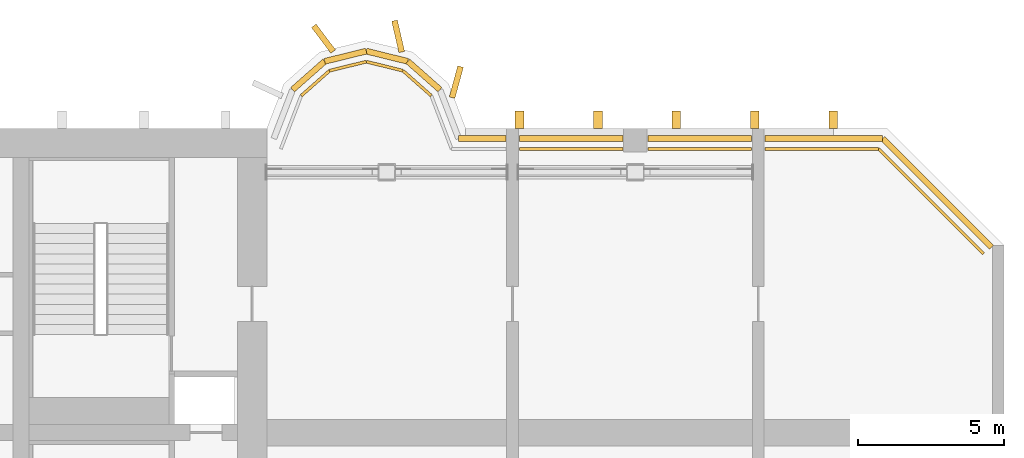
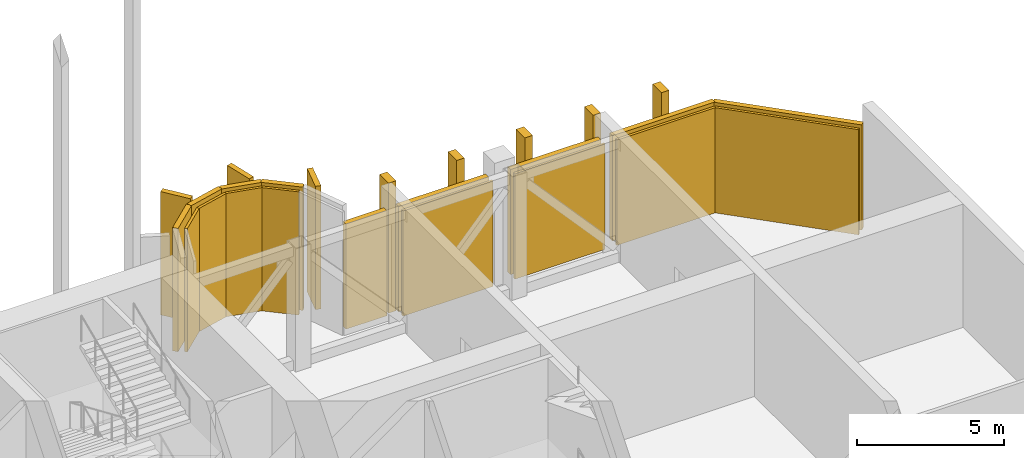
# One storey, part 17 of 17: 16 coverings, 9 shading devices.
"""IFC4 building model written with IfcOpenShell, lengths in metres."""

from ifc_helpers import new_model, si_unit, direction, frame, origin, origin_2d, place, context, subcontext, project, spatial, rectangle, extrude, source, transform, mapped, material, layer, layer_set, material_profile, profile_set, type_object, element, save


model = new_model("IFC4")

# Units and contexts
model_context = context("Model", 3, precision=1e-05, world=origin(), true_north=direction((0.0, 1.0)))
body_context = subcontext(model_context, "Body", "Model", "MODEL_VIEW")
ifc_project = project(units=[si_unit("LENGTHUNIT", "METRE"), si_unit("AREAUNIT", "SQUARE_METRE"), si_unit("VOLUMEUNIT", "CUBIC_METRE"), si_unit("PLANEANGLEUNIT", "RADIAN"), si_unit("MASSUNIT", "GRAM", prefix="KILO")], contexts=[model_context])

# Site, building, storey
site_placement = place(None, origin())
site = spatial("IfcSite", under=ifc_project, at=site_placement, CompositionType="ELEMENT")
building_placement = place(site_placement, origin())
building = spatial("IfcBuilding", under=site, at=building_placement, Name="Vanashikhar Sky Hotel", CompositionType="ELEMENT")
storey_placement = place(building_placement, frame((0.0, 0.0, 81.0)))
storey = spatial("IfcBuildingStorey", under=building, at=storey_placement, Name="L19", CompositionType="ELEMENT", Elevation=81.0)

# Shading devices
ifc_material_1 = material(Name="Aluminium", Category="aluminium")
ifc_layer_1 = layer(ifc_material_1, 0.199951171875)
ifc_layer_set_1 = layer_set([ifc_layer_1], Name="Aluminium louvre band")
shading_device_type = type_object("IfcShadingDeviceType", Name="Aluminium louvre band", PredefinedType="USERDEFINED", material=ifc_layer_set_1)
shared_shape_1 = source(origin(), body_context, "Body", "SweptSolid", [
    extrude(rectangle(XDim=4.02490234375, YDim=0.199951171875, at=origin_2d()), origin(), (0.0, 0.0, 1.0), 4.3701171875),
])
shading_device_1_placement = place(storey_placement, frame((94.642578125, 41.64990234375, 0.0), z_axis=(0.0, 0.0, 1.0), x_axis=(-1.0, 0.0, 0.0)))
element("IfcShadingDevice", 1, at=shading_device_1_placement, inside=storey, type_object=shading_device_type, Name="Louvre band", ObjectType="LOUVRE", PredefinedType="USERDEFINED", context=body_context, shape_type="MappedRepresentation", body=[
    mapped(shared_shape_1, transform((0.0, 0.0, 0.0), scale=1.0)),
])
shared_shape_2 = source(origin(), body_context, "Body", "SweptSolid", [
    extrude(rectangle(XDim=3.5400390625, YDim=0.199951171875, at=origin_2d()), origin(), (0.0, 0.0, 1.0), 4.3701171875),
])
for number, where, z_axis, x_axis, name in (
    (2, (86.0, 41.64990234375, 0.0), (0.0, 0.0, 1.0), (-1.0, 0.0, 0.0), "Louvre band"),
    (3, (90.39990234375, 41.64990234375, 0.0), (0.0, 0.0, 1.0), (-1.0, 0.0, 0.0), "Louvre band"),
):
    element("IfcShadingDevice", number, at=place(storey_placement, frame(where, z_axis=z_axis, x_axis=x_axis)), inside=storey, type_object=shading_device_type, Name=name, ObjectType="LOUVRE", PredefinedType="USERDEFINED", context=body_context, shape_type="MappedRepresentation", body=[
        mapped(shared_shape_2, transform((0.0, 0.0, 0.0), scale=1.0)),
    ])
shared_shape_3 = source(origin(), body_context, "Body", "SweptSolid", [
    extrude(rectangle(XDim=5.25390625, YDim=0.199951171875, at=origin_2d()), origin(), (0.0, 0.0, 1.0), 4.3701171875),
])
shading_device_2_placement = place(storey_placement, frame((98.512451171875, 39.79248046875, 0.0), z_axis=(0.0, 0.0, 1.0), x_axis=(-0.707106781187, 0.707106781187, 0.0)))
element("IfcShadingDevice", 4, at=shading_device_2_placement, inside=storey, type_object=shading_device_type, Name="Louvre band", ObjectType="LOUVRE", PredefinedType="USERDEFINED", context=body_context, shape_type="MappedRepresentation", body=[
    mapped(shared_shape_3, transform((0.0, 0.0, 0.0), scale=1.0)),
])
shared_shape_4 = source(origin(), body_context, "Body", "SweptSolid", [
    extrude(rectangle(XDim=1.610595703125, YDim=0.199951171875, at=origin_2d()), origin(), (0.0, 0.0, 1.0), 4.3701171875),
])
shading_device_3_placement = place(storey_placement, frame((82.964599609375, 41.64990234375, 0.0), z_axis=(0.0, 0.0, 1.0), x_axis=(-1.0, 0.0, 0.0)))
element("IfcShadingDevice", 5, at=shading_device_3_placement, inside=storey, type_object=shading_device_type, Name="Louvre band", ObjectType="LOUVRE", PredefinedType="USERDEFINED", context=body_context, shape_type="MappedRepresentation", body=[
    mapped(shared_shape_4, transform((0.0, 0.0, 0.0), scale=1.0)),
])
shared_shape_5 = source(origin(), body_context, "Body", "SweptSolid", [
    extrude(rectangle(XDim=1.464599609375, YDim=0.199951171875, at=origin_2d()), origin(), (0.0, 0.0, 1.0), 5.1201171875),
])
for number, where, z_axis, x_axis, name in (
    (6, (80.969970703125, 43.805908203125, 0.0), (0.0, 0.0, 1.0), (-0.749741606437, 0.661730703214, 0.0), "Louvre band"),
    (7, (77.030029296875, 43.805908203125, 0.0), (0.0, 0.0, 1.0), (-0.749741606437, -0.661730703214, 0.0), "Louvre band"),
):
    element("IfcShadingDevice", number, at=place(storey_placement, frame(where, z_axis=z_axis, x_axis=x_axis)), inside=storey, type_object=shading_device_type, Name=name, ObjectType="LOUVRE", PredefinedType="USERDEFINED", context=body_context, shape_type="MappedRepresentation", body=[
        mapped(shared_shape_5, transform((0.0, 0.0, 0.0), scale=1.0)),
    ])
shared_shape_6 = source(origin(), body_context, "Body", "SweptSolid", [
    extrude(rectangle(XDim=1.463134765625, YDim=0.199951171875, at=origin_2d()), origin(), (0.0, 0.0, 1.0), 5.1201171875),
])
for number, where, z_axis, x_axis, name in (
    (8, (79.71044921875, 44.465087890625, 0.0), (0.0, 0.0, 1.0), (-0.97113427991, 0.238533457579, 0.0), "Louvre band"),
    (9, (78.28955078125, 44.465087890625, 0.0), (0.0, 0.0, 1.0), (-0.97113427991, -0.238533457579, 0.0), "Louvre band"),
):
    element("IfcShadingDevice", number, at=place(storey_placement, frame(where, z_axis=z_axis, x_axis=x_axis)), inside=storey, type_object=shading_device_type, Name=name, ObjectType="LOUVRE", PredefinedType="USERDEFINED", context=body_context, shape_type="MappedRepresentation", body=[
        mapped(shared_shape_6, transform((0.0, 0.0, 0.0), scale=1.0)),
    ])

# Coverings
ifc_material_2 = material(Name="Concrete M40", Category="concrete")
ifc_layer_2 = layer(ifc_material_2, 0.10009765625)
ifc_layer_set_2 = layer_set([ifc_layer_2], Name="Plant floor cladding panel")
covering_type_1 = type_object("IfcCoveringType", Name="Plant floor cladding panel", PredefinedType="CLADDING", material=ifc_layer_set_2)
shared_shape_7 = source(origin(), body_context, "Body", "SweptSolid", [
    extrude(rectangle(XDim=3.880126953125, YDim=0.10009765625, at=origin_2d()), origin(), (0.0, 0.0, 1.0), 4.3701171875),
])
covering_1_placement = place(storey_placement, frame((94.570068359375, 41.300048828125, 0.0), z_axis=(0.0, 0.0, 1.0), x_axis=(-1.0, 0.0, 0.0)))
element("IfcCovering", 10, at=covering_1_placement, inside=storey, type_object=covering_type_1, Name="Plant floor cladding panel", PredefinedType="CLADDING", context=body_context, shape_type="MappedRepresentation", body=[
    mapped(shared_shape_7, transform((0.0, 0.0, 0.0), scale=1.0)),
])
shared_shape_8 = source(origin(), body_context, "Body", "SweptSolid", [
    extrude(rectangle(XDim=3.5400390625, YDim=0.10009765625, at=origin_2d()), origin(), (0.0, 0.0, 1.0), 4.3701171875),
])
for number, where, z_axis, x_axis, name in (
    (11, (86.0, 41.300048828125, 0.0), (0.0, 0.0, 1.0), (-1.0, 0.0, 0.0), "Plant floor cladding panel"),
    (12, (90.39990234375, 41.300048828125, 0.0), (0.0, 0.0, 1.0), (-1.0, 0.0, 0.0), "Plant floor cladding panel"),
):
    element("IfcCovering", number, at=place(storey_placement, frame(where, z_axis=z_axis, x_axis=x_axis)), inside=storey, type_object=covering_type_1, Name=name, PredefinedType="CLADDING", context=body_context, shape_type="MappedRepresentation", body=[
        mapped(shared_shape_8, transform((0.0, 0.0, 0.0), scale=1.0)),
    ])
shared_shape_9 = source(origin(), body_context, "Body", "SweptSolid", [
    extrude(rectangle(XDim=5.076904296875, YDim=0.10009765625, at=origin_2d()), origin(), (0.0, 0.0, 1.0), 4.3701171875),
])
covering_2_placement = place(storey_placement, frame((98.304931640625, 39.5048828125, 0.0), z_axis=(0.0, 0.0, 1.0), x_axis=(-0.707106781187, 0.707106781187, 0.0)))
element("IfcCovering", 13, at=covering_2_placement, inside=storey, type_object=covering_type_1, Name="Plant floor cladding panel", PredefinedType="CLADDING", context=body_context, shape_type="MappedRepresentation", body=[
    mapped(shared_shape_9, transform((0.0, 0.0, 0.0), scale=1.0)),
])
shared_shape_10 = source(origin(), body_context, "Body", "SweptSolid", [
    extrude(rectangle(XDim=1.29248046875, YDim=0.10009765625, at=origin_2d()), origin(), (0.0, 0.0, 1.0), 5.1201171875),
])
for number, where, z_axis, x_axis, name in (
    (14, (80.73828125, 43.543701171875, 0.0), (0.0, 0.0, 1.0), (-0.749683856685, 0.661796127993, 0.0), "Plant floor cladding panel"),
    (15, (77.26171875, 43.543701171875, 0.0), (0.0, 0.0, 1.0), (-0.749683856685, -0.661796127993, 0.0), "Plant floor cladding panel"),
):
    element("IfcCovering", number, at=place(storey_placement, frame(where, z_axis=z_axis, x_axis=x_axis)), inside=storey, type_object=covering_type_1, Name=name, PredefinedType="CLADDING", context=body_context, shape_type="MappedRepresentation", body=[
        mapped(shared_shape_10, transform((0.0, 0.0, 0.0), scale=1.0)),
    ])
shared_shape_11 = source(origin(), body_context, "Body", "SweptSolid", [
    extrude(rectangle(XDim=1.291015625, YDim=0.10009765625, at=origin_2d()), origin(), (0.0, 0.0, 1.0), 5.1201171875),
])
for number, where, z_axis, x_axis, name in (
    (16, (79.626953125, 44.125244140625, 0.0), (0.0, 0.0, 1.0), (-0.97115093032, 0.238465659035, 0.0), "Plant floor cladding panel"),
    (17, (78.373046875, 44.125244140625, 0.0), (0.0, 0.0, 1.0), (-0.97115093032, -0.238465659035, 0.0), "Plant floor cladding panel"),
):
    element("IfcCovering", number, at=place(storey_placement, frame(where, z_axis=z_axis, x_axis=x_axis)), inside=storey, type_object=covering_type_1, Name=name, PredefinedType="CLADDING", context=body_context, shape_type="MappedRepresentation", body=[
        mapped(shared_shape_11, transform((0.0, 0.0, 0.0), scale=1.0)),
    ])
ifc_material_3 = material(Name="Concrete M60 dark", Category="concrete")
ifc_material_profile_1 = material_profile(ifc_material_3, rectangle(XDim=1.10009765625, YDim=0.199951171875, at=origin_2d()))
ifc_profile_set_1 = profile_set([ifc_material_profile_1], Name="Rear lobe fin 1100 x 200")
covering_type_2 = type_object("IfcCoveringType", Name="Rear lobe fin 1100 x 200", PredefinedType="CLADDING", material=ifc_profile_set_1)
shared_shape_12 = source(origin(), body_context, "Body", "SweptSolid", [
    extrude(rectangle(XDim=1.10009765625, YDim=0.199951171875, at=origin_2d()), origin(), (0.0, 0.0, 1.0), 5.1201171875),
])
for number, where, z_axis, x_axis, name in (
    (18, (77.5380859375, 45.06640625, 0.0), (0.0, 0.0, 1.0), (-0.602065892195, 0.798446404874, 0.0), "Fin R2-2"),
    (19, (80.08984375, 45.1455078125, 0.0), (0.0, 0.0, 1.0), (-0.224644935864, 0.974440687159, 0.0), "Fin R2-3"),
    (20, (82.0791015625, 43.580078125, 0.0), (0.0, 0.0, 1.0), (0.262711264409, 0.964874495234, 0.0), "Fin R2-4"),
):
    element("IfcCovering", number, at=place(storey_placement, frame(where, z_axis=z_axis, x_axis=x_axis)), inside=storey, type_object=covering_type_2, Name=name, PredefinedType="CLADDING", context=body_context, shape_type="MappedRepresentation", body=[
        mapped(shared_shape_12, transform((0.0, 0.0, 0.0), scale=1.0)),
    ])
ifc_material_profile_2 = material_profile(ifc_material_3, rectangle(XDim=0.60009765625, YDim=0.300048828125, at=origin_2d()))
ifc_profile_set_2 = profile_set([ifc_material_profile_2], Name="Rear rib 600 x 300")
covering_type_3 = type_object("IfcCoveringType", Name="Rear rib 600 x 300", PredefinedType="CLADDING", material=ifc_profile_set_2)
shared_shape_13 = source(origin(), body_context, "Body", "SweptSolid", [
    extrude(rectangle(XDim=0.60009765625, YDim=0.300048828125, at=origin_2d()), origin(), (0.0, 0.0, 1.0), 5.400146484375),
])
for number, where, z_axis, x_axis, name in (
    (21, (84.239990234375, 42.300048828125, -0.280029296875), (0.0, 0.0, 1.0), (0.0, 1.0, 0.0), "Rear rib"),
    (22, (86.919921875, 42.300048828125, -0.280029296875), (0.0, 0.0, 1.0), (0.0, 1.0, 0.0), "Rear rib"),
    (23, (89.60009765625, 42.300048828125, -0.280029296875), (0.0, 0.0, 1.0), (0.0, 1.0, 0.0), "Rear rib"),
    (24, (92.280029296875, 42.300048828125, -0.280029296875), (0.0, 0.0, 1.0), (0.0, 1.0, 0.0), "Rear rib"),
    (25, (94.9599609375, 42.300048828125, -0.280029296875), (0.0, 0.0, 1.0), (0.0, 1.0, 0.0), "Rear rib"),
):
    element("IfcCovering", number, at=place(storey_placement, frame(where, z_axis=z_axis, x_axis=x_axis)), inside=storey, type_object=covering_type_3, Name=name, PredefinedType="CLADDING", context=body_context, shape_type="MappedRepresentation", body=[
        mapped(shared_shape_13, transform((0.0, 0.0, 0.0), scale=1.0)),
    ])

save(model, "model.ifc")
